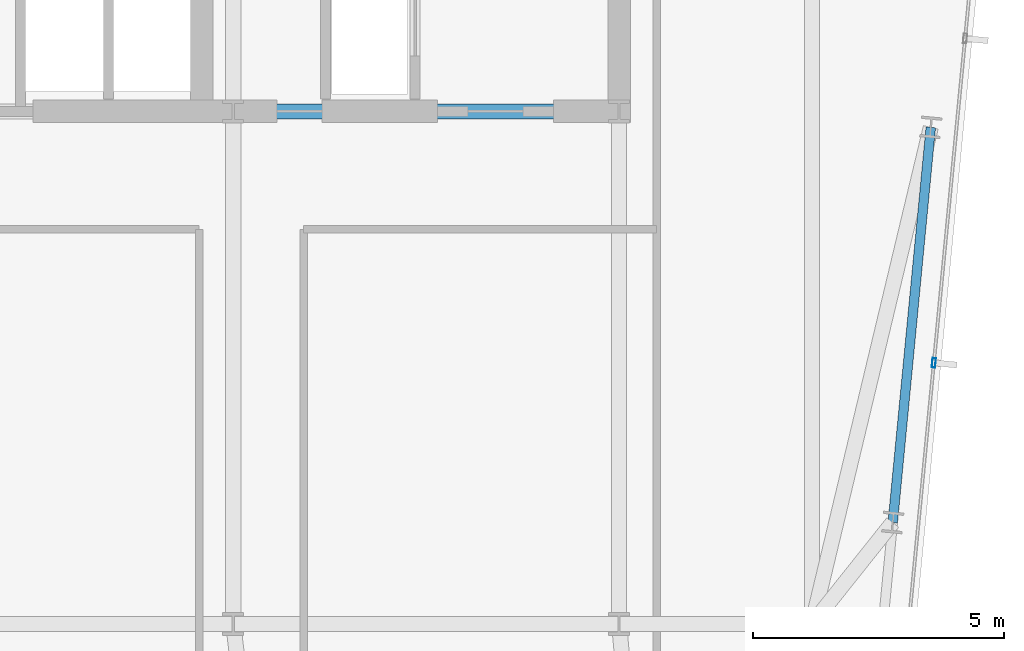
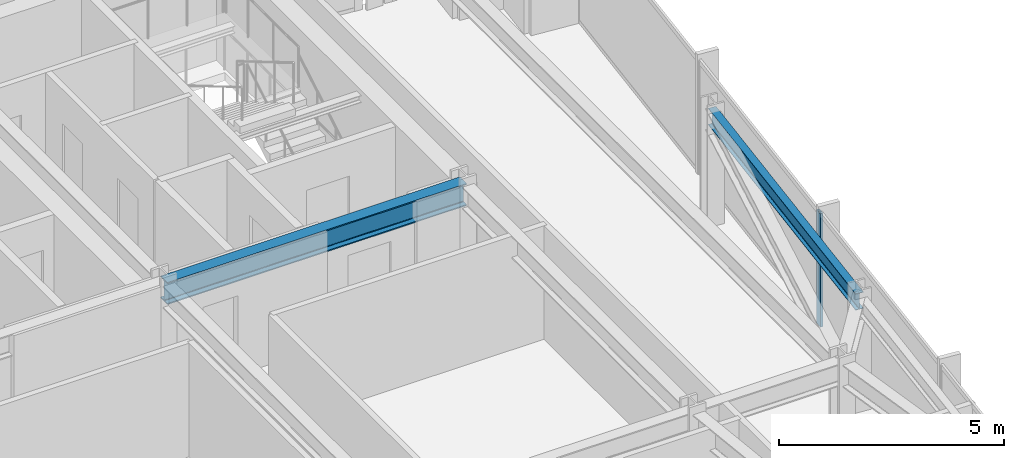
# One storey, part 18 of 37: 2 beams, 1 member, 1 element without a shape of its own.
"""IFC4 building model written with IfcOpenShell, lengths in metres."""

from ifc_helpers import new_model, si_unit, direction, frame, origin, origin_2d, place, context, subcontext, project, spatial, hollow_rectangle, i_section, extrude, material, material_profile, profile_set, type_object, element, aggregate, save


model = new_model("IFC4")

# Units and contexts
model_context = context("Model", 3, precision=1e-05, world=origin(), true_north=direction((0.0, 1.0)))
body_context = subcontext(model_context, "Body", "Model", "MODEL_VIEW")
ifc_project = project(units=[si_unit("LENGTHUNIT", "METRE"), si_unit("AREAUNIT", "SQUARE_METRE"), si_unit("VOLUMEUNIT", "CUBIC_METRE"), si_unit("PLANEANGLEUNIT", "RADIAN"), si_unit("MASSUNIT", "GRAM", prefix="KILO")], contexts=[model_context])

# Site, building, storey
site_placement = place(None, origin())
site = spatial("IfcSite", under=ifc_project, at=site_placement, CompositionType="ELEMENT")
building_placement = place(site_placement, origin())
building = spatial("IfcBuilding", under=site, at=building_placement, Name="Yelkora Congress Tower", CompositionType="ELEMENT")
storey_placement = place(building_placement, frame((0.0, 0.0, 168.800048828125)))
storey = spatial("IfcBuildingStorey", under=building, at=storey_placement, Name="L46", CompositionType="ELEMENT", Elevation=168.800048828125)

# Beams
ifc_material_1 = material(Name="Steel S355J2", Category="steel")
ifc_material_profile_1 = material_profile(ifc_material_1, i_section(OverallWidth=0.300048828125, OverallDepth=0.60009765625, WebThickness=0.015380859375, FlangeThickness=0.030029296875, FilletRadius=0.027099609375, at=origin_2d()), Name="HEB 600")
ifc_profile_set_1 = profile_set([ifc_material_profile_1], Name="Steel S355J2")
beam_type_1 = type_object("IfcBeamType", Name="BM-GIRD-HEB600", PredefinedType="BEAM", material=ifc_profile_set_1)
beam_1_placement = place(storey_placement, frame((46.080078125, 35.39990234375, 2.780029296875), z_axis=(1.0, 0.0, 0.0), x_axis=(0.0, 1.0, 0.0)))
element("IfcBeam", 1, at=beam_1_placement, inside=storey, type_object=beam_type_1, Name="L46 Core South Girder 4", PredefinedType="BEAM", context=body_context, shape_type="SweptSolid", body=[
    extrude(i_section(OverallWidth=0.300048828125, OverallDepth=0.60009765625, WebThickness=0.015380859375, FlangeThickness=0.030029296875, FilletRadius=0.027099609375, at=origin_2d()), origin(), (0.0, 0.0, 1.0), 7.679931640625),
])
ifc_material_profile_2 = material_profile(ifc_material_1, i_section(OverallWidth=0.18994140625, OverallDepth=0.449951171875, WebThickness=0.009521484375, FlangeThickness=0.0146484375, FilletRadius=0.02099609375, at=origin_2d()), Name="IPE 450")
ifc_profile_set_2 = profile_set([ifc_material_profile_2], Name="Steel S355J2")
beam_type_2 = type_object("IfcBeamType", Name="BM-SPAN-IPE450", PredefinedType="SPANDREL", material=ifc_profile_set_2)
beam_2_placement = place(storey_placement, frame((59.206298828125, 27.217529296875, 2.85498046875), z_axis=(0.095834301903, 0.99539730087, 0.0), x_axis=(-0.99539730087, 0.095834301903, 0.0)))
element("IfcBeam", 2, at=beam_2_placement, inside=storey, type_object=beam_type_2, Name="L46 Perimeter Beam 11", PredefinedType="SPANDREL", context=body_context, shape_type="SweptSolid", body=[
    extrude(i_section(OverallWidth=0.18994140625, OverallDepth=0.449951171875, WebThickness=0.009521484375, FlangeThickness=0.0146484375, FilletRadius=0.02099609375, at=origin_2d()), origin(), (0.0, 0.0, 1.0), 7.89990234375),
])

# Curtain wall, member
ifc_material_2 = material(Name="Anodised aluminium and insulated glass", Category="aluminium")
curtain_wall_type = type_object("IfcCurtainWallType", Name="CW-SYS-B3", PredefinedType="NOTDEFINED", material=ifc_material_2)
curtain_wall_placement = place(storey_placement, origin())
curtain_wall = element("IfcCurtainWall", 3, at=curtain_wall_placement, inside=storey, type_object=curtain_wall_type, Name="L46 Unitised Curtain Wall 15", PredefinedType="NOTDEFINED")
ifc_material_3 = material(Name="Anodised aluminium 6063-T6", Category="aluminium")
ifc_material_profile_3 = material_profile(ifc_material_3, hollow_rectangle(XDim=0.070068359375, YDim=0.18994140625, WallThickness=0.00390625, at=origin_2d()), Name="ALU 70x190x4")
ifc_profile_set_3 = profile_set([ifc_material_profile_3], Name="Anodised aluminium 6063-T6")
member_type = type_object("IfcMemberType", Name="MEM-ML-B3", PredefinedType="MULLION", material=ifc_profile_set_3)
member_placement = place(storey_placement, frame((60.024658203125, 30.395751953125, 0.0), z_axis=(0.0, 0.0, 1.0), x_axis=(0.995396565076, -0.095841944023, 0.0)))
member = element("IfcMember", 4, at=member_placement, type_object=member_type, Name="CW-B3 mullion 3", PredefinedType="MULLION", context=body_context, shape_type="SweptSolid", body=[
    extrude(hollow_rectangle(XDim=0.070068359375, YDim=0.18994140625, WallThickness=0.00390625, at=origin_2d()), origin(), (0.0, 0.0, 1.0), 3.079833984375),
])
aggregate(curtain_wall, [member])

save(model, "model.ifc")
